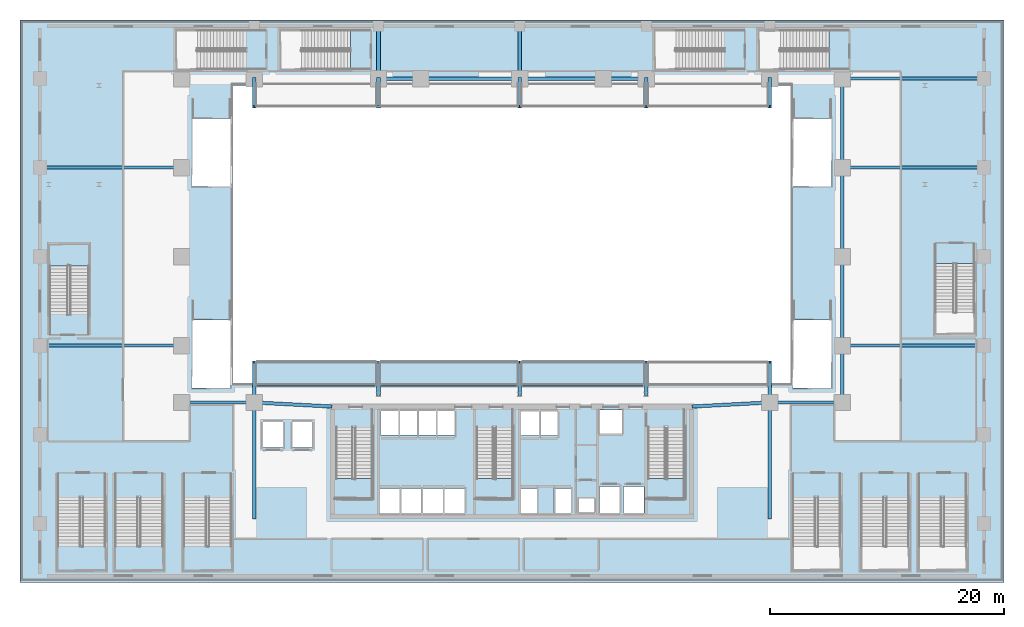
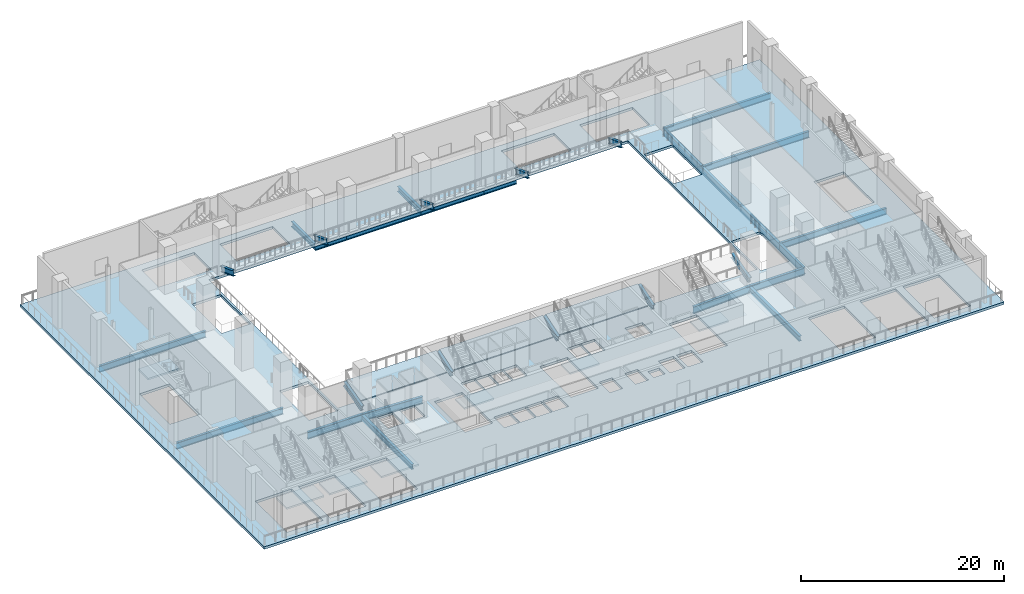
# One storey, part 5 of 28: 31 beams, 11 slabs, 7 elements without a shape of their own.
"""IFC4 building model written with IfcOpenShell, lengths in metres."""

from ifc_helpers import new_model, si_unit, direction, frame, origin, origin_2d, place, context, subcontext, project, spatial, polyline, i_section, outline, extrude, material, layer, layer_set, material_profile, profile_set, type_object, element, aggregate, save


model = new_model("IFC4")

# Units and contexts
model_context = context("Model", 3, precision=1e-05, world=origin(), true_north=direction((0.0, 1.0)))
body_context = subcontext(model_context, "Body", "Model", "MODEL_VIEW")
ifc_project = project(units=[si_unit("LENGTHUNIT", "METRE"), si_unit("AREAUNIT", "SQUARE_METRE"), si_unit("VOLUMEUNIT", "CUBIC_METRE"), si_unit("PLANEANGLEUNIT", "RADIAN"), si_unit("MASSUNIT", "GRAM", prefix="KILO")], contexts=[model_context])

# Site, building, storey
site_placement = place(None, origin())
site = spatial("IfcSite", under=ifc_project, at=site_placement, CompositionType="ELEMENT")
building_placement = place(site_placement, origin())
building = spatial("IfcBuilding", under=site, at=building_placement, Name="Ndaravel Arena Tower", CompositionType="ELEMENT")
storey_placement = place(building_placement, frame((0.0, 0.0, 18.0)))
storey = spatial("IfcBuildingStorey", under=building, at=storey_placement, Name="L03", CompositionType="ELEMENT", Elevation=18.0)

# Beams
ifc_material_1 = material(Name="Steel S355", Category="steel")
ifc_material_profile_1 = material_profile(ifc_material_1, i_section(OverallWidth=0.26806640625, OverallDepth=0.769775390625, WebThickness=0.015625, FlangeThickness=0.025390625, FilletRadius=0.0166015625, at=origin_2d()), Name="UB 762x267x197")
ifc_profile_set_1 = profile_set([ifc_material_profile_1], Name="Steel S355")
beam_type_1 = type_object("IfcBeamType", Name="BM-POD-UB762", PredefinedType="BEAM", material=ifc_profile_set_1)
for number, where, z_axis, x_axis, name in (
    (1, (1.699951171875, 20.199951171875, -0.684814453125), (1.0, 0.0, 0.0), (0.0, 1.0, 0.0), "L03 West Concourse Beam 01"),
    (2, (70.199951171875, 20.199951171875, -0.684814453125), (1.0, 0.0, 0.0), (0.0, 1.0, 0.0), "L03 East Concourse Beam 01"),
    (3, (1.699951171875, 35.39990234375, -0.684814453125), (1.0, 0.0, 0.0), (0.0, 1.0, 0.0), "L03 West Concourse Beam 03"),
    (4, (70.199951171875, 35.39990234375, -0.684814453125), (1.0, 0.0, 0.0), (0.0, 1.0, 0.0), "L03 East Concourse Beam 03"),
    (5, (70.199951171875, 43.0, -0.684814453125), (1.0, 0.0, 0.0), (0.0, 1.0, 0.0), "L03 East Concourse Beam 04"),
):
    element("IfcBeam", number, at=place(storey_placement, frame(where, z_axis=z_axis, x_axis=x_axis)), inside=storey, type_object=beam_type_1, Name=name, PredefinedType="BEAM", context=body_context, shape_type="SweptSolid", body=[
        extrude(i_section(OverallWidth=0.26806640625, OverallDepth=0.769775390625, WebThickness=0.015625, FlangeThickness=0.025390625, FilletRadius=0.0166015625, at=origin_2d()), origin(), (0.0, 0.0, 1.0), 12.10009765625),
    ])
ifc_material_2 = material(Name="Steel S355", Category="steel")
ifc_material_profile_2 = material_profile(ifc_material_2, i_section(OverallWidth=0.293701171875, OverallDepth=0.850830078125, WebThickness=0.01611328125, FlangeThickness=0.02685546875, FilletRadius=0.017822265625, at=origin_2d()), Name="UB 838x292x226")
ifc_profile_set_2 = profile_set([ifc_material_profile_2], Name="Steel S355")
beam_type_2 = type_object("IfcBeamType", Name="BM-POD-UB838", PredefinedType="BEAM", material=ifc_profile_set_2)
beam_1_placement = place(storey_placement, frame((70.199951171875, 15.35009765625, -0.7255859375), z_axis=(0.0, 1.0, 0.0), x_axis=(-1.0, 0.0, 0.0)))
element("IfcBeam", 6, at=beam_1_placement, inside=storey, type_object=beam_type_2, Name="L03 Arena Ring Girder 05", PredefinedType="BEAM", context=body_context, shape_type="SweptSolid", body=[
    extrude(i_section(OverallWidth=0.293701171875, OverallDepth=0.850830078125, WebThickness=0.01611328125, FlangeThickness=0.02685546875, FilletRadius=0.017822265625, at=origin_2d()), origin(), (0.0, 0.0, 1.0), 4.849853515625),
])
beam_2_placement = place(storey_placement, frame((70.199951171875, 20.199951171875, -0.7255859375), z_axis=(0.0, 1.0, 0.0), x_axis=(-1.0, 0.0, 0.0)))
element("IfcBeam", 7, at=beam_2_placement, inside=storey, type_object=beam_type_2, Name="L03 Arena Ring Girder 06", PredefinedType="BEAM", context=body_context, shape_type="SweptSolid", body=[
    extrude(i_section(OverallWidth=0.293701171875, OverallDepth=0.850830078125, WebThickness=0.01611328125, FlangeThickness=0.02685546875, FilletRadius=0.017822265625, at=origin_2d()), origin(), (0.0, 0.0, 1.0), 7.60009765625),
])
beam_3_placement = place(storey_placement, frame((70.199951171875, 27.800048828125, -0.7255859375), z_axis=(0.0, 1.0, 0.0), x_axis=(-1.0, 0.0, 0.0)))
element("IfcBeam", 8, at=beam_3_placement, inside=storey, type_object=beam_type_2, Name="L03 Arena Ring Girder 07", PredefinedType="BEAM", context=body_context, shape_type="SweptSolid", body=[
    extrude(i_section(OverallWidth=0.293701171875, OverallDepth=0.850830078125, WebThickness=0.01611328125, FlangeThickness=0.02685546875, FilletRadius=0.017822265625, at=origin_2d()), origin(), (0.0, 0.0, 1.0), 7.599853515625),
])
beam_4_placement = place(storey_placement, frame((70.199951171875, 35.39990234375, -0.7255859375), z_axis=(0.0, 1.0, 0.0), x_axis=(-1.0, 0.0, 0.0)))
element("IfcBeam", 9, at=beam_4_placement, inside=storey, type_object=beam_type_2, Name="L03 Arena Ring Girder 08", PredefinedType="BEAM", context=body_context, shape_type="SweptSolid", body=[
    extrude(i_section(OverallWidth=0.293701171875, OverallDepth=0.850830078125, WebThickness=0.01611328125, FlangeThickness=0.02685546875, FilletRadius=0.017822265625, at=origin_2d()), origin(), (0.0, 0.0, 1.0), 7.60009765625),
])
beam_5_placement = place(storey_placement, frame((30.60009765625, 43.0, -0.7255859375), z_axis=(1.0, 0.0, 0.0), x_axis=(0.0, 1.0, 0.0)))
element("IfcBeam", 10, at=beam_5_placement, inside=storey, type_object=beam_type_2, Name="L03 Arena Ring Girder 11", PredefinedType="BEAM", context=body_context, shape_type="SweptSolid", body=[
    extrude(i_section(OverallWidth=0.293701171875, OverallDepth=0.850830078125, WebThickness=0.01611328125, FlangeThickness=0.02685546875, FilletRadius=0.017822265625, at=origin_2d()), origin(), (0.0, 0.0, 1.0), 3.599853515625),
])
beam_6_placement = place(storey_placement, frame((34.199951171875, 43.0, -0.7255859375), z_axis=(1.0, 0.0, 0.0), x_axis=(0.0, 1.0, 0.0)))
element("IfcBeam", 11, at=beam_6_placement, inside=storey, type_object=beam_type_2, Name="L03 Arena Ring Girder 12", PredefinedType="BEAM", context=body_context, shape_type="SweptSolid", body=[
    extrude(i_section(OverallWidth=0.293701171875, OverallDepth=0.850830078125, WebThickness=0.01611328125, FlangeThickness=0.02685546875, FilletRadius=0.017822265625, at=origin_2d()), origin(), (0.0, 0.0, 1.0), 8.449951171875),
])
beam_7_placement = place(storey_placement, frame((42.64990234375, 43.0, -0.7255859375), z_axis=(1.0, 0.0, 0.0), x_axis=(0.0, 1.0, 0.0)))
element("IfcBeam", 12, at=beam_7_placement, inside=storey, type_object=beam_type_2, Name="L03 Arena Ring Girder 13", PredefinedType="BEAM", context=body_context, shape_type="SweptSolid", body=[
    extrude(i_section(OverallWidth=0.293701171875, OverallDepth=0.850830078125, WebThickness=0.01611328125, FlangeThickness=0.02685546875, FilletRadius=0.017822265625, at=origin_2d()), origin(), (0.0, 0.0, 1.0), 7.150146484375),
])
beam_8_placement = place(storey_placement, frame((49.800048828125, 43.0, -0.7255859375), z_axis=(1.0, 0.0, 0.0), x_axis=(0.0, 1.0, 0.0)))
element("IfcBeam", 13, at=beam_8_placement, inside=storey, type_object=beam_type_2, Name="L03 Arena Ring Girder 14", PredefinedType="BEAM", context=body_context, shape_type="SweptSolid", body=[
    extrude(i_section(OverallWidth=0.293701171875, OverallDepth=0.850830078125, WebThickness=0.01611328125, FlangeThickness=0.02685546875, FilletRadius=0.017822265625, at=origin_2d()), origin(), (0.0, 0.0, 1.0), 3.64990234375),
])
beam_9_placement = place(storey_placement, frame((13.800048828125, 15.35009765625, -0.7255859375), z_axis=(1.0, 0.0, 0.0), x_axis=(0.0, 1.0, 0.0)))
element("IfcBeam", 14, at=beam_9_placement, inside=storey, type_object=beam_type_2, Name="L03 Arena Ring Girder 17", PredefinedType="BEAM", context=body_context, shape_type="SweptSolid", body=[
    extrude(i_section(OverallWidth=0.293701171875, OverallDepth=0.850830078125, WebThickness=0.01611328125, FlangeThickness=0.02685546875, FilletRadius=0.017822265625, at=origin_2d()), origin(), (0.0, 0.0, 1.0), 6.199951171875),
])
for number, where, z_axis, x_axis, name in (
    (15, (20.0, 15.35009765625, -0.7255859375), (0.99861701899, -0.052574227375, 0.0), (0.052574227375, 0.99861701899, 0.0), "L03 Arena Ring Girder 18"),
    (16, (57.35009765625, 15.0, -0.7255859375), (0.99861701899, 0.052574227375, 0.0), (-0.052574227375, 0.99861701899, 0.0), "L03 Arena Ring Girder 19"),
):
    element("IfcBeam", number, at=place(storey_placement, frame(where, z_axis=z_axis, x_axis=x_axis)), inside=storey, type_object=beam_type_2, Name=name, PredefinedType="BEAM", context=body_context, shape_type="SweptSolid", body=[
        extrude(i_section(OverallWidth=0.293701171875, OverallDepth=0.850830078125, WebThickness=0.01611328125, FlangeThickness=0.02685546875, FilletRadius=0.017822265625, at=origin_2d()), origin(), (0.0, 0.0, 1.0), 6.6591796875),
    ])
beam_10_placement = place(storey_placement, frame((64.0, 15.35009765625, -0.7255859375), z_axis=(1.0, 0.0, 0.0), x_axis=(0.0, 1.0, 0.0)))
element("IfcBeam", 17, at=beam_10_placement, inside=storey, type_object=beam_type_2, Name="L03 Arena Ring Girder 20", PredefinedType="BEAM", context=body_context, shape_type="SweptSolid", body=[
    extrude(i_section(OverallWidth=0.293701171875, OverallDepth=0.850830078125, WebThickness=0.01611328125, FlangeThickness=0.02685546875, FilletRadius=0.017822265625, at=origin_2d()), origin(), (0.0, 0.0, 1.0), 6.199951171875),
])
ifc_material_3 = material(Name="Steel S355", Category="steel")
ifc_material_profile_3 = material_profile(ifc_material_3, i_section(OverallWidth=0.30712890625, OverallDepth=0.6201171875, WebThickness=0.01416015625, FlangeThickness=0.023681640625, FilletRadius=0.0166015625, at=origin_2d()), Name="UB 610x305x179")
ifc_profile_set_3 = profile_set([ifc_material_profile_3], Name="Steel S355")
beam_type_3 = type_object("IfcBeamType", Name="BM-RAKER-UB610", PredefinedType="USERDEFINED", material=ifc_profile_set_3)
beam_11_placement = place(storey_placement, frame((20.0, 43.0, 0.35009765625), z_axis=(0.0, -0.93633700635, 0.351102564131), x_axis=(1.0, 0.0, 0.0)))
element("IfcBeam", 18, at=beam_11_placement, inside=storey, type_object=beam_type_3, Name="L03 North Cantilever Raker RK-3NC1", ObjectType="RAKER", PredefinedType="USERDEFINED", context=body_context, shape_type="SweptSolid", body=[
    extrude(i_section(OverallWidth=0.30712890625, OverallDepth=0.6201171875, WebThickness=0.01416015625, FlangeThickness=0.023681640625, FilletRadius=0.0166015625, at=origin_2d()), origin(), (0.0, 0.0, 1.0), 2.56298828125),
])
beam_12_placement = place(storey_placement, frame((20.0, 5.39990234375, -0.66015625), z_axis=(0.0, 1.0, 0.0), x_axis=(-1.0, 0.0, 0.0)))
element("IfcBeam", 19, at=beam_12_placement, inside=storey, type_object=beam_type_3, Name="L03 South Raker Backspan RK-3SB1", ObjectType="RAKER", PredefinedType="USERDEFINED", context=body_context, shape_type="SweptSolid", body=[
    extrude(i_section(OverallWidth=0.30712890625, OverallDepth=0.6201171875, WebThickness=0.01416015625, FlangeThickness=0.023681640625, FilletRadius=0.0166015625, at=origin_2d()), origin(), (0.0, 0.0, 1.0), 9.9501953125),
])
beam_13_placement = place(storey_placement, frame((20.0, 15.35009765625, 0.35009765625), z_axis=(0.0, 0.967623089502, 0.252399597191), x_axis=(-1.0, 0.0, 0.0)))
element("IfcBeam", 20, at=beam_13_placement, inside=storey, type_object=beam_type_3, Name="L03 South Cantilever Raker RK-3SC1", ObjectType="RAKER", PredefinedType="USERDEFINED", context=body_context, shape_type="SweptSolid", body=[
    extrude(i_section(OverallWidth=0.30712890625, OverallDepth=0.6201171875, WebThickness=0.01416015625, FlangeThickness=0.023681640625, FilletRadius=0.0166015625, at=origin_2d()), origin(), (0.0, 0.0, 1.0), 3.5654296875),
])
beam_14_placement = place(storey_placement, frame((30.60009765625, 47.449951171875, -0.66015625), z_axis=(0.0, -1.0, 0.0), x_axis=(1.0, 0.0, 0.0)))
element("IfcBeam", 21, at=beam_14_placement, inside=storey, type_object=beam_type_3, Name="L03 North Raker Backspan RK-3NB2", ObjectType="RAKER", PredefinedType="USERDEFINED", context=body_context, shape_type="SweptSolid", body=[
    extrude(i_section(OverallWidth=0.30712890625, OverallDepth=0.6201171875, WebThickness=0.01416015625, FlangeThickness=0.023681640625, FilletRadius=0.0166015625, at=origin_2d()), origin(), (0.0, 0.0, 1.0), 4.449951171875),
])
beam_15_placement = place(storey_placement, frame((30.60009765625, 43.0, 0.35009765625), z_axis=(0.0, -0.93633700635, 0.351102564131), x_axis=(1.0, 0.0, 0.0)))
element("IfcBeam", 22, at=beam_15_placement, inside=storey, type_object=beam_type_3, Name="L03 North Cantilever Raker RK-3NC2", ObjectType="RAKER", PredefinedType="USERDEFINED", context=body_context, shape_type="SweptSolid", body=[
    extrude(i_section(OverallWidth=0.30712890625, OverallDepth=0.6201171875, WebThickness=0.01416015625, FlangeThickness=0.023681640625, FilletRadius=0.0166015625, at=origin_2d()), origin(), (0.0, 0.0, 1.0), 2.56298828125),
])
beam_16_placement = place(storey_placement, frame((30.60009765625, 16.050048828125, 0.35009765625), z_axis=(0.0, 0.950407105489, 0.31100857518), x_axis=(-1.0, 0.0, 0.0)))
element("IfcBeam", 23, at=beam_16_placement, inside=storey, type_object=beam_type_3, Name="L03 South Cantilever Raker RK-3SC2", ObjectType="RAKER", PredefinedType="USERDEFINED", context=body_context, shape_type="SweptSolid", body=[
    extrude(i_section(OverallWidth=0.30712890625, OverallDepth=0.6201171875, WebThickness=0.01416015625, FlangeThickness=0.023681640625, FilletRadius=0.0166015625, at=origin_2d()), origin(), (0.0, 0.0, 1.0), 2.8935546875),
])
beam_17_placement = place(storey_placement, frame((42.64990234375, 47.449951171875, -0.66015625), z_axis=(0.0, -1.0, 0.0), x_axis=(1.0, 0.0, 0.0)))
element("IfcBeam", 24, at=beam_17_placement, inside=storey, type_object=beam_type_3, Name="L03 North Raker Backspan RK-3NB3", ObjectType="RAKER", PredefinedType="USERDEFINED", context=body_context, shape_type="SweptSolid", body=[
    extrude(i_section(OverallWidth=0.30712890625, OverallDepth=0.6201171875, WebThickness=0.01416015625, FlangeThickness=0.023681640625, FilletRadius=0.0166015625, at=origin_2d()), origin(), (0.0, 0.0, 1.0), 4.449951171875),
])
beam_18_placement = place(storey_placement, frame((42.64990234375, 43.0, 0.35009765625), z_axis=(0.0, -0.93633700635, 0.351102564131), x_axis=(1.0, 0.0, 0.0)))
element("IfcBeam", 25, at=beam_18_placement, inside=storey, type_object=beam_type_3, Name="L03 North Cantilever Raker RK-3NC3", ObjectType="RAKER", PredefinedType="USERDEFINED", context=body_context, shape_type="SweptSolid", body=[
    extrude(i_section(OverallWidth=0.30712890625, OverallDepth=0.6201171875, WebThickness=0.01416015625, FlangeThickness=0.023681640625, FilletRadius=0.0166015625, at=origin_2d()), origin(), (0.0, 0.0, 1.0), 2.56298828125),
])
beam_19_placement = place(storey_placement, frame((42.64990234375, 16.050048828125, 0.35009765625), z_axis=(0.0, 0.950407105489, 0.31100857518), x_axis=(-1.0, 0.0, 0.0)))
element("IfcBeam", 26, at=beam_19_placement, inside=storey, type_object=beam_type_3, Name="L03 South Cantilever Raker RK-3SC3", ObjectType="RAKER", PredefinedType="USERDEFINED", context=body_context, shape_type="SweptSolid", body=[
    extrude(i_section(OverallWidth=0.30712890625, OverallDepth=0.6201171875, WebThickness=0.01416015625, FlangeThickness=0.023681640625, FilletRadius=0.0166015625, at=origin_2d()), origin(), (0.0, 0.0, 1.0), 2.8935546875),
])
beam_20_placement = place(storey_placement, frame((53.449951171875, 43.0, 0.35009765625), z_axis=(0.0, -0.93633700635, 0.351102564131), x_axis=(1.0, 0.0, 0.0)))
element("IfcBeam", 27, at=beam_20_placement, inside=storey, type_object=beam_type_3, Name="L03 North Cantilever Raker RK-3NC4", ObjectType="RAKER", PredefinedType="USERDEFINED", context=body_context, shape_type="SweptSolid", body=[
    extrude(i_section(OverallWidth=0.30712890625, OverallDepth=0.6201171875, WebThickness=0.01416015625, FlangeThickness=0.023681640625, FilletRadius=0.0166015625, at=origin_2d()), origin(), (0.0, 0.0, 1.0), 2.56298828125),
])
beam_21_placement = place(storey_placement, frame((53.449951171875, 16.050048828125, 0.35009765625), z_axis=(0.0, 0.950407105489, 0.31100857518), x_axis=(-1.0, 0.0, 0.0)))
element("IfcBeam", 28, at=beam_21_placement, inside=storey, type_object=beam_type_3, Name="L03 South Cantilever Raker RK-3SC4", ObjectType="RAKER", PredefinedType="USERDEFINED", context=body_context, shape_type="SweptSolid", body=[
    extrude(i_section(OverallWidth=0.30712890625, OverallDepth=0.6201171875, WebThickness=0.01416015625, FlangeThickness=0.023681640625, FilletRadius=0.0166015625, at=origin_2d()), origin(), (0.0, 0.0, 1.0), 2.8935546875),
])
beam_22_placement = place(storey_placement, frame((64.0, 43.0, 0.35009765625), z_axis=(0.0, -0.93633700635, 0.351102564131), x_axis=(1.0, 0.0, 0.0)))
element("IfcBeam", 29, at=beam_22_placement, inside=storey, type_object=beam_type_3, Name="L03 North Cantilever Raker RK-3NC5", ObjectType="RAKER", PredefinedType="USERDEFINED", context=body_context, shape_type="SweptSolid", body=[
    extrude(i_section(OverallWidth=0.30712890625, OverallDepth=0.6201171875, WebThickness=0.01416015625, FlangeThickness=0.023681640625, FilletRadius=0.0166015625, at=origin_2d()), origin(), (0.0, 0.0, 1.0), 2.56298828125),
])
beam_23_placement = place(storey_placement, frame((64.0, 5.39990234375, -0.66015625), z_axis=(0.0, 1.0, 0.0), x_axis=(-1.0, 0.0, 0.0)))
element("IfcBeam", 30, at=beam_23_placement, inside=storey, type_object=beam_type_3, Name="L03 South Raker Backspan RK-3SB5", ObjectType="RAKER", PredefinedType="USERDEFINED", context=body_context, shape_type="SweptSolid", body=[
    extrude(i_section(OverallWidth=0.30712890625, OverallDepth=0.6201171875, WebThickness=0.01416015625, FlangeThickness=0.023681640625, FilletRadius=0.0166015625, at=origin_2d()), origin(), (0.0, 0.0, 1.0), 9.9501953125),
])
beam_24_placement = place(storey_placement, frame((64.0, 15.35009765625, 0.35009765625), z_axis=(0.0, 0.967623089502, 0.252399597191), x_axis=(-1.0, 0.0, 0.0)))
element("IfcBeam", 31, at=beam_24_placement, inside=storey, type_object=beam_type_3, Name="L03 South Cantilever Raker RK-3SC5", ObjectType="RAKER", PredefinedType="USERDEFINED", context=body_context, shape_type="SweptSolid", body=[
    extrude(i_section(OverallWidth=0.30712890625, OverallDepth=0.6201171875, WebThickness=0.01416015625, FlangeThickness=0.023681640625, FilletRadius=0.0166015625, at=origin_2d()), origin(), (0.0, 0.0, 1.0), 3.5654296875),
])

# Slab
ifc_material_4 = material(Name="Concrete C40/50", Category="concrete")
ifc_layer_1 = layer(ifc_material_4, 0.300048828125)
ifc_layer_set_1 = layer_set([ifc_layer_1], Name="Concrete C40/50")
slab_type_1 = type_object("IfcSlabType", Name="SLAB-POD-300", PredefinedType="FLOOR", material=ifc_layer_set_1)
slab_1_placement = place(storey_placement, frame((0.0, 0.0, -0.300048828125)))
element("IfcSlab", 32, at=slab_1_placement, inside=storey, type_object=slab_type_1, Name="L03 Structural Floor Slab", PredefinedType="FLOOR", context=body_context, shape_type="SweptSolid", body=[
    extrude(outline(polyline([(0.0, 0.0), (84.0, 0.0), (84.0, 48.0), (0.0, 48.0), (0.0, 0.0)]), holes=[polyline([(26.949951171875, 13.215087890625), (26.949951171875, 7.14990234375), (30.090087890625, 7.14990234375), (30.090087890625, 13.215087890625), (26.949951171875, 13.215087890625)]), polyline([(38.949951171875, 13.215087890625), (38.949951171875, 7.14990234375), (42.090087890625, 7.14990234375), (42.090087890625, 13.215087890625), (38.949951171875, 13.215087890625)]), polyline([(53.60009765625, 13.215087890625), (53.60009765625, 7.14990234375), (56.739990234375, 7.14990234375), (56.739990234375, 13.215087890625), (53.60009765625, 13.215087890625)]), polyline([(3.199951171875, 7.235107421875), (3.199951171875, 1.050048828125), (7.300048828125, 1.050048828125), (7.300048828125, 7.235107421875), (3.199951171875, 7.235107421875)]), polyline([(8.10009765625, 7.235107421875), (8.10009765625, 1.050048828125), (12.199951171875, 1.050048828125), (12.199951171875, 7.235107421875), (8.10009765625, 7.235107421875)]), polyline([(13.949951171875, 7.235107421875), (13.949951171875, 1.050048828125), (18.050048828125, 1.050048828125), (18.050048828125, 7.235107421875), (13.949951171875, 7.235107421875)]), polyline([(65.949951171875, 7.235107421875), (65.949951171875, 1.050048828125), (70.050048828125, 1.050048828125), (70.050048828125, 7.235107421875), (65.949951171875, 7.235107421875)]), polyline([(71.800048828125, 7.235107421875), (71.800048828125, 1.050048828125), (75.89990234375, 1.050048828125), (75.89990234375, 7.235107421875), (71.800048828125, 7.235107421875)]), polyline([(76.699951171875, 7.235107421875), (76.699951171875, 1.050048828125), (80.800048828125, 1.050048828125), (80.800048828125, 7.235107421875), (76.699951171875, 7.235107421875)]), polyline([(5.8798828125, 22.85498046875), (5.8798828125, 28.85009765625), (2.5, 28.85009765625), (2.5, 22.85498046875), (5.8798828125, 22.85498046875)]), polyline([(19.294921875, 47.139892578125), (13.300048828125, 47.139892578125), (13.300048828125, 43.760009765625), (19.294921875, 43.760009765625), (19.294921875, 47.139892578125)]), polyline([(28.195068359375, 47.139892578125), (22.199951171875, 47.139892578125), (22.199951171875, 43.760009765625), (28.195068359375, 43.760009765625), (28.195068359375, 47.139892578125)]), polyline([(60.14501953125, 47.139892578125), (54.14990234375, 47.139892578125), (54.14990234375, 43.760009765625), (60.14501953125, 43.760009765625), (60.14501953125, 47.139892578125)]), polyline([(69.044921875, 47.139892578125), (63.050048828125, 47.139892578125), (63.050048828125, 43.760009765625), (69.044921875, 43.760009765625), (69.044921875, 47.139892578125)]), polyline([(78.1201171875, 27.195068359375), (78.1201171875, 21.199951171875), (81.5, 21.199951171875), (81.5, 27.195068359375), (78.1201171875, 27.195068359375)]), polyline([(14.699951171875, 22.405029296875), (14.699951171875, 16.60009765625), (17.9599609375, 16.60009765625), (17.9599609375, 22.405029296875), (14.699951171875, 22.405029296875)]), polyline([(14.699951171875, 39.60498046875), (14.699951171875, 33.800048828125), (17.9599609375, 33.800048828125), (17.9599609375, 39.60498046875), (14.699951171875, 39.60498046875)]), polyline([(66.0, 22.405029296875), (66.0, 16.60009765625), (69.260009765625, 16.60009765625), (69.260009765625, 22.405029296875), (66.0, 22.405029296875)]), polyline([(66.0, 39.60498046875), (66.0, 33.800048828125), (69.260009765625, 33.800048828125), (69.260009765625, 39.60498046875), (66.0, 39.60498046875)]), polyline([(30.68505859375, 5.909912109375), (32.4150390625, 5.909912109375), (32.4150390625, 7.989990234375), (30.68505859375, 7.989990234375), (30.68505859375, 5.909912109375)]), polyline([(32.534912109375, 5.909912109375), (34.264892578125, 5.909912109375), (34.264892578125, 7.989990234375), (32.534912109375, 7.989990234375), (32.534912109375, 5.909912109375)]), polyline([(34.385009765625, 5.909912109375), (36.114990234375, 5.909912109375), (36.114990234375, 7.989990234375), (34.385009765625, 7.989990234375), (34.385009765625, 5.909912109375)]), polyline([(36.235107421875, 5.909912109375), (37.965087890625, 5.909912109375), (37.965087890625, 7.989990234375), (36.235107421875, 7.989990234375), (36.235107421875, 5.909912109375)]), polyline([(30.784912109375, 12.56005859375), (32.31494140625, 12.56005859375), (32.31494140625, 14.639892578125), (30.784912109375, 14.639892578125), (30.784912109375, 12.56005859375)]), polyline([(32.385009765625, 12.56005859375), (33.9150390625, 12.56005859375), (33.9150390625, 14.639892578125), (32.385009765625, 14.639892578125), (32.385009765625, 12.56005859375)]), polyline([(33.985107421875, 12.56005859375), (35.514892578125, 12.56005859375), (35.514892578125, 14.639892578125), (33.985107421875, 14.639892578125), (33.985107421875, 12.56005859375)]), polyline([(35.5849609375, 12.56005859375), (37.114990234375, 12.56005859375), (37.114990234375, 14.639892578125), (35.5849609375, 14.639892578125), (35.5849609375, 12.56005859375)]), polyline([(42.659912109375, 5.909912109375), (44.139892578125, 5.909912109375), (44.139892578125, 7.989990234375), (42.659912109375, 7.989990234375), (42.659912109375, 5.909912109375)]), polyline([(45.56005859375, 5.909912109375), (47.0400390625, 5.909912109375), (47.0400390625, 7.989990234375), (45.56005859375, 7.989990234375), (45.56005859375, 5.909912109375)]), polyline([(42.784912109375, 12.510009765625), (44.31494140625, 12.510009765625), (44.31494140625, 14.590087890625), (42.784912109375, 14.590087890625), (42.784912109375, 12.510009765625)]), polyline([(44.385009765625, 12.510009765625), (45.9150390625, 12.510009765625), (45.9150390625, 14.590087890625), (44.385009765625, 14.590087890625), (44.385009765625, 12.510009765625)]), polyline([(49.485107421875, 5.909912109375), (51.215087890625, 5.909912109375), (51.215087890625, 8.18994140625), (49.485107421875, 8.18994140625), (49.485107421875, 5.909912109375)]), polyline([(51.534912109375, 5.909912109375), (53.264892578125, 5.909912109375), (53.264892578125, 8.18994140625), (51.534912109375, 8.18994140625), (51.534912109375, 5.909912109375)]), polyline([(49.4599609375, 12.68505859375), (51.43994140625, 12.68505859375), (51.43994140625, 14.715087890625), (49.4599609375, 14.715087890625), (49.4599609375, 12.68505859375)]), polyline([(20.735107421875, 11.510009765625), (22.465087890625, 11.510009765625), (22.465087890625, 13.68994140625), (20.735107421875, 13.68994140625), (20.735107421875, 11.510009765625)]), polyline([(23.235107421875, 11.510009765625), (24.965087890625, 11.510009765625), (24.965087890625, 13.68994140625), (23.235107421875, 13.68994140625), (23.235107421875, 11.510009765625)]), polyline([(47.699951171875, 6.0), (49.0, 6.0), (49.0, 7.139892578125), (47.699951171875, 7.139892578125), (47.699951171875, 6.0)]), polyline([(18.199951171875, 17.0), (65.800048828125, 17.0), (65.800048828125, 42.39990234375), (18.199951171875, 42.39990234375), (18.199951171875, 17.0)])]), origin(), (0.0, 0.0, 1.0), 0.300048828125),
])

# Stair, slab
ifc_material_5 = material(Name="Concrete C40/50", Category="concrete")
stair_type_1 = type_object("IfcStairType", Name="STAIR-CORE-HT", PredefinedType="HALF_TURN_STAIR", material=ifc_material_5)
stair_1_placement = place(storey_placement, origin())
stair_1 = element("IfcStair", 33, at=stair_1_placement, inside=storey, type_object=stair_type_1, Name="L03 ST-1", PredefinedType="HALF_TURN_STAIR")
ifc_material_6 = material(Name="Concrete C40/50", Category="concrete")
ifc_layer_2 = layer(ifc_material_6, 0.199951171875)
ifc_layer_set_2 = layer_set([ifc_layer_2], Name="Concrete C40/50")
slab_type_2 = type_object("IfcSlabType", Name="SLAB-STAIR-LANDING", PredefinedType="LANDING", material=ifc_layer_set_2)
slab_2_placement = place(storey_placement, frame((0.0, 0.0, 2.800048828125)))
slab_2 = element("IfcSlab", 34, at=slab_2_placement, type_object=slab_type_2, Name="ST-1 landing 1", PredefinedType="LANDING", context=body_context, shape_type="SweptSolid", body=[
    extrude(outline(polyline([(26.81005859375, 8.860107421875), (26.81005859375, 7.070068359375), (30.169921875, 7.070068359375), (30.169921875, 8.860107421875), (26.81005859375, 8.860107421875)])), origin(), (0.0, 0.0, 1.0), 0.199951171875),
])
aggregate(stair_1, [slab_2])

stair_2_placement = place(storey_placement, origin())
stair_2 = element("IfcStair", 35, at=stair_2_placement, inside=storey, type_object=stair_type_1, Name="L03 ST-2", PredefinedType="HALF_TURN_STAIR")
slab_3_placement = place(storey_placement, frame((0.0, 0.0, 2.800048828125)))
slab_3 = element("IfcSlab", 36, at=slab_3_placement, type_object=slab_type_2, Name="ST-2 landing 1", PredefinedType="LANDING", context=body_context, shape_type="SweptSolid", body=[
    extrude(outline(polyline([(38.81005859375, 8.860107421875), (38.81005859375, 7.070068359375), (42.169921875, 7.070068359375), (42.169921875, 8.860107421875), (38.81005859375, 8.860107421875)])), origin(), (0.0, 0.0, 1.0), 0.199951171875),
])
aggregate(stair_2, [slab_3])

stair_3_placement = place(storey_placement, origin())
stair_3 = element("IfcStair", 37, at=stair_3_placement, inside=storey, type_object=stair_type_1, Name="L03 ST-3", PredefinedType="HALF_TURN_STAIR")
slab_4_placement = place(storey_placement, frame((0.0, 0.0, 2.800048828125)))
slab_4 = element("IfcSlab", 38, at=slab_4_placement, type_object=slab_type_2, Name="ST-3 landing 1", PredefinedType="LANDING", context=body_context, shape_type="SweptSolid", body=[
    extrude(outline(polyline([(53.4599609375, 8.860107421875), (53.4599609375, 7.070068359375), (56.820068359375, 7.070068359375), (56.820068359375, 8.860107421875), (53.4599609375, 8.860107421875)])), origin(), (0.0, 0.0, 1.0), 0.199951171875),
])
aggregate(stair_3, [slab_4])

ifc_material_7 = material(Name="Concrete C40/50", Category="concrete")
stair_type_2 = type_object("IfcStairType", Name="STAIR-ARENA-HT", PredefinedType="HALF_TURN_STAIR", material=ifc_material_7)
stair_4_placement = place(storey_placement, origin())
stair_4 = element("IfcStair", 39, at=stair_4_placement, inside=storey, type_object=stair_type_2, Name="L03 ST-A01", PredefinedType="HALF_TURN_STAIR")
slab_5_placement = place(storey_placement, frame((0.0, 0.0, 2.800048828125)))
slab_5 = element("IfcSlab", 40, at=slab_5_placement, type_object=slab_type_2, Name="ST-A01 landing 1", PredefinedType="LANDING", context=body_context, shape_type="SweptSolid", body=[
    extrude(outline(polyline([(3.1201171875, 3.10498046875), (3.1201171875, 0.969970703125), (7.3798828125, 0.969970703125), (7.3798828125, 3.10498046875), (3.1201171875, 3.10498046875)])), origin(), (0.0, 0.0, 1.0), 0.199951171875),
])
aggregate(stair_4, [slab_5])

stair_5_placement = place(storey_placement, origin())
stair_5 = element("IfcStair", 41, at=stair_5_placement, inside=storey, type_object=stair_type_2, Name="L03 ST-A02", PredefinedType="HALF_TURN_STAIR")
slab_6_placement = place(storey_placement, frame((0.0, 0.0, 2.800048828125)))
slab_6 = element("IfcSlab", 42, at=slab_6_placement, type_object=slab_type_2, Name="ST-A02 landing 1", PredefinedType="LANDING", context=body_context, shape_type="SweptSolid", body=[
    extrude(outline(polyline([(8.02001953125, 3.10498046875), (8.02001953125, 0.969970703125), (12.280029296875, 0.969970703125), (12.280029296875, 3.10498046875), (8.02001953125, 3.10498046875)])), origin(), (0.0, 0.0, 1.0), 0.199951171875),
])
aggregate(stair_5, [slab_6])

stair_6_placement = place(storey_placement, origin())
stair_6 = element("IfcStair", 43, at=stair_6_placement, inside=storey, type_object=stair_type_2, Name="L03 ST-A03", PredefinedType="HALF_TURN_STAIR")
slab_7_placement = place(storey_placement, frame((0.0, 0.0, 2.800048828125)))
slab_7 = element("IfcSlab", 44, at=slab_7_placement, type_object=slab_type_2, Name="ST-A03 landing 1", PredefinedType="LANDING", context=body_context, shape_type="SweptSolid", body=[
    extrude(outline(polyline([(13.8701171875, 3.10498046875), (13.8701171875, 0.969970703125), (18.1298828125, 0.969970703125), (18.1298828125, 3.10498046875), (13.8701171875, 3.10498046875)])), origin(), (0.0, 0.0, 1.0), 0.199951171875),
])
aggregate(stair_6, [slab_7])

ifc_material_8 = material(Name="Concrete C40/50", Category="concrete")
stair_type_3 = type_object("IfcStairType", Name="STAIR-POD-QT", PredefinedType="QUARTER_TURN_STAIR", material=ifc_material_8)
stair_7_placement = place(storey_placement, origin())
stair_7 = element("IfcStair", 45, at=stair_7_placement, inside=storey, type_object=stair_type_3, Name="L03 ST-A07", PredefinedType="QUARTER_TURN_STAIR")
slab_8_placement = place(storey_placement, frame((0.0, 0.0, 2.800048828125)))
slab_8 = element("IfcSlab", 46, at=slab_8_placement, type_object=slab_type_2, Name="ST-A07 landing 1", PredefinedType="LANDING", context=body_context, shape_type="SweptSolid", body=[
    extrude(outline(polyline([(5.9599609375, 26.985107421875), (5.9599609375, 28.929931640625), (2.419921875, 28.929931640625), (2.419921875, 26.985107421875), (5.9599609375, 26.985107421875)])), origin(), (0.0, 0.0, 1.0), 0.199951171875),
])
aggregate(stair_7, [slab_8])

# Slabs
ifc_material_9 = material(Name="Precast concrete C45/55", Category="concrete")
ifc_layer_3 = layer(ifc_material_9, 0.239990234375)
ifc_layer_set_3 = layer_set([ifc_layer_3], Name="Precast concrete C45/55")
slab_type_3 = type_object("IfcSlabType", Name="SLAB-TIER-240", PredefinedType="USERDEFINED", material=ifc_layer_set_3)
slab_9_placement = place(storey_placement, frame((20.14990234375, 16.75, 0.179931640625), z_axis=(0.0, -0.555659489205, 0.831409966296), x_axis=(1.0, 0.0, 0.0)))
element("IfcSlab", 47, at=slab_9_placement, inside=storey, type_object=slab_type_3, Name="Stand Upper Tier South Bay 1", ObjectType="SEATING TIER", PredefinedType="USERDEFINED", context=body_context, shape_type="SweptSolid", body=[
    extrude(outline(polyline([(0.0, 0.0), (10.300048828125, 0.0), (10.300048828125, 2.465749643653953), (0.0, 2.465749643653953), (0.0, 0.0)])), origin(), (0.0, 0.0, -1.0), 0.239990234375),
])
slab_10_placement = place(storey_placement, frame((30.75, 16.75, 0.179931640625), z_axis=(0.0, -0.555659489205, 0.831409966296), x_axis=(1.0, 0.0, 0.0)))
element("IfcSlab", 48, at=slab_10_placement, inside=storey, type_object=slab_type_3, Name="Stand Upper Tier South Bay 2", ObjectType="SEATING TIER", PredefinedType="USERDEFINED", context=body_context, shape_type="SweptSolid", body=[
    extrude(outline(polyline([(0.0, 0.0), (11.75, 0.0), (11.75, 2.465749643653953), (0.0, 2.465749643653953), (0.0, 0.0)])), origin(), (0.0, 0.0, -1.0), 0.239990234375),
])
slab_11_placement = place(storey_placement, frame((42.800048828125, 16.75, 0.179931640625), z_axis=(0.0, -0.555659489205, 0.831409966296), x_axis=(1.0, 0.0, 0.0)))
element("IfcSlab", 49, at=slab_11_placement, inside=storey, type_object=slab_type_3, Name="Stand Upper Tier South Bay 3", ObjectType="SEATING TIER", PredefinedType="USERDEFINED", context=body_context, shape_type="SweptSolid", body=[
    extrude(outline(polyline([(0.0, 0.0), (10.5, 0.0), (10.5, 2.465749643653953), (0.0, 2.465749643653953), (0.0, 0.0)])), origin(), (0.0, 0.0, -1.0), 0.239990234375),
])

save(model, "model.ifc")
